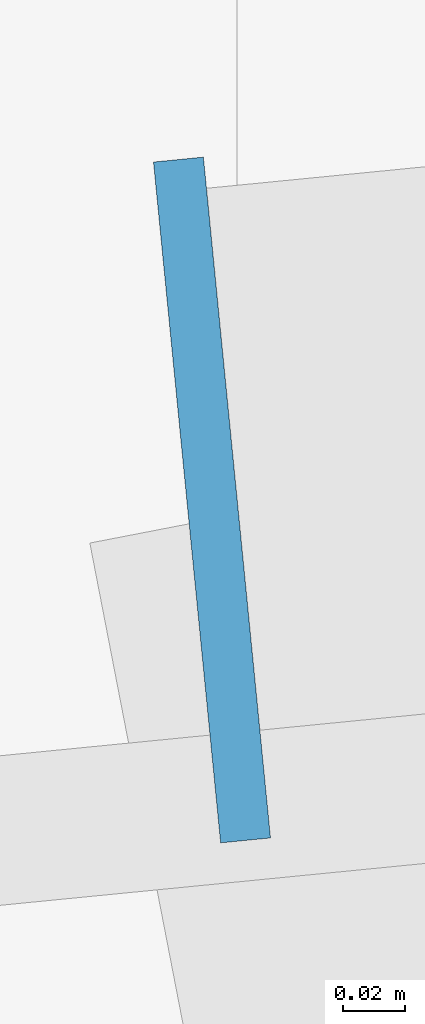
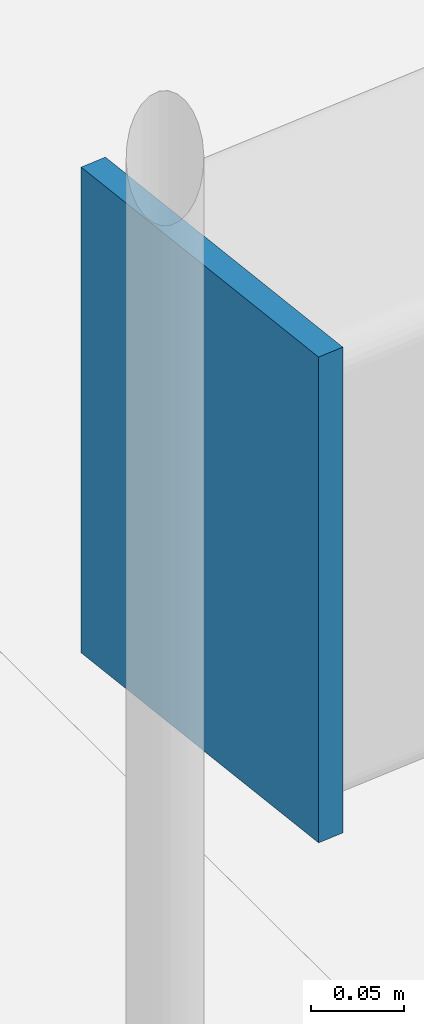
# One storey, part 42 of 58: 1 plate.
"""IFC4 building model written with IfcOpenShell, lengths in metres."""

from ifc_helpers import new_model, si_unit, direction, frame, origin, origin_2d, place, context, subcontext, project, spatial, rectangle, extrude, material, layer, layer_set, type_object, element, save


model = new_model("IFC4")

# Units and contexts
model_context = context("Model", 3, precision=1e-05, world=origin(), true_north=direction((0.0, 1.0)))
body_context = subcontext(model_context, "Body", "Model", "MODEL_VIEW")
ifc_project = project(units=[si_unit("LENGTHUNIT", "METRE"), si_unit("AREAUNIT", "SQUARE_METRE"), si_unit("VOLUMEUNIT", "CUBIC_METRE"), si_unit("PLANEANGLEUNIT", "RADIAN"), si_unit("MASSUNIT", "GRAM", prefix="KILO")], contexts=[model_context])

# Site, building, storey
site_placement = place(None, origin())
site = spatial("IfcSite", under=ifc_project, at=site_placement, CompositionType="ELEMENT")
building_placement = place(site_placement, origin())
building = spatial("IfcBuilding", under=site, at=building_placement, Name="Yeouljin Market Hall", CompositionType="ELEMENT")
storey_placement = place(building_placement, frame((0.0, 0.0, 10.800048828125)))
storey = spatial("IfcBuildingStorey", under=building, at=storey_placement, Name="L02", CompositionType="ELEMENT", Elevation=10.800048828125)

# Plate
ifc_material = material(Name="Steel SM355", Category="steel")
ifc_layer = layer(ifc_material, 0.01611328125)
ifc_layer_set = layer_set([ifc_layer], Name="Steel SM355")
plate_type = type_object("IfcPlateType", Name="CapPlate_320x220x16", PredefinedType="SHEET", material=ifc_layer_set)
plate_placement = place(storey_placement, frame((140.991943359375, 36.19921875, 0.08984375), z_axis=(0.0, 0.0, 1.0), x_axis=(-0.098103986207, 0.995176169274, 0.0)))
element("IfcPlate", 1, at=plate_placement, inside=storey, type_object=plate_type, Name="Apse eaves ring end-cap plate east 01", PredefinedType="SHEET", context=body_context, shape_type="SweptSolid", body=[
    extrude(rectangle(XDim=0.219970703125, YDim=0.01611328125, at=origin_2d()), origin(), (0.0, 0.0, 1.0), 0.320068359375),
])

save(model, "model.ifc")
